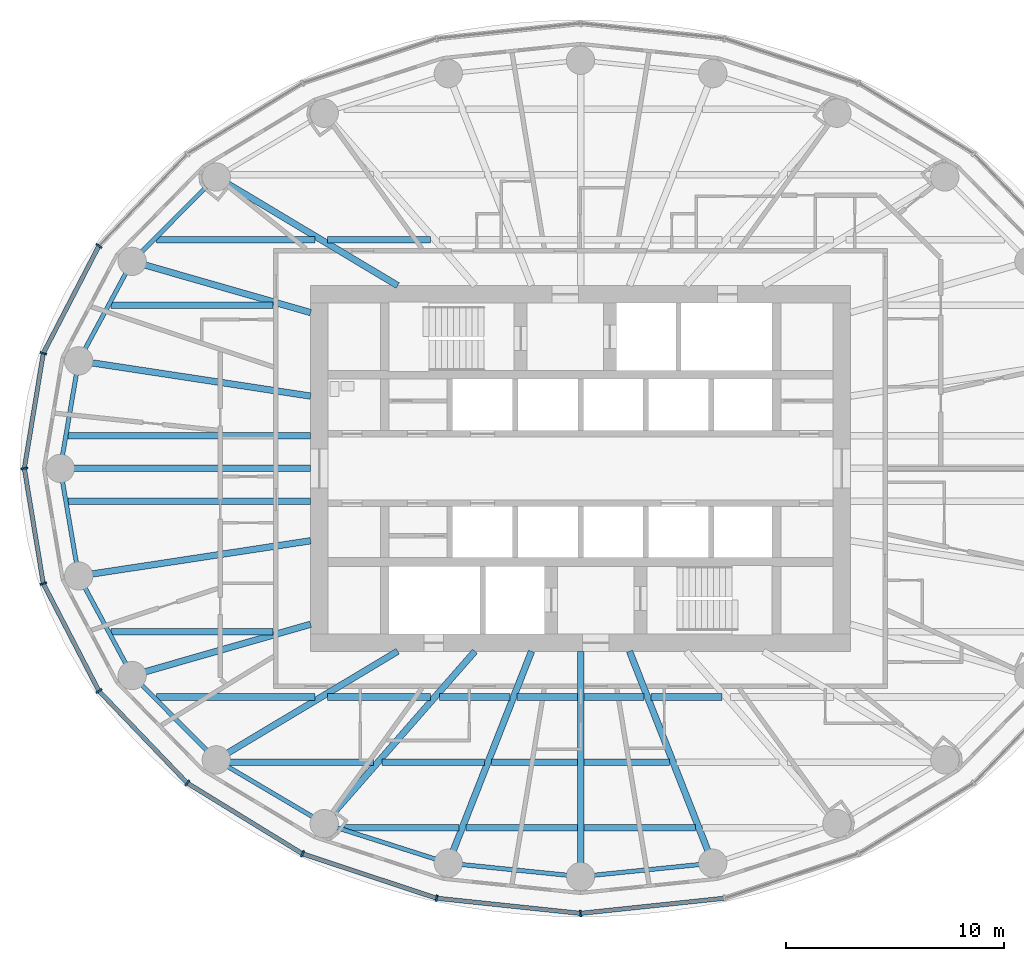
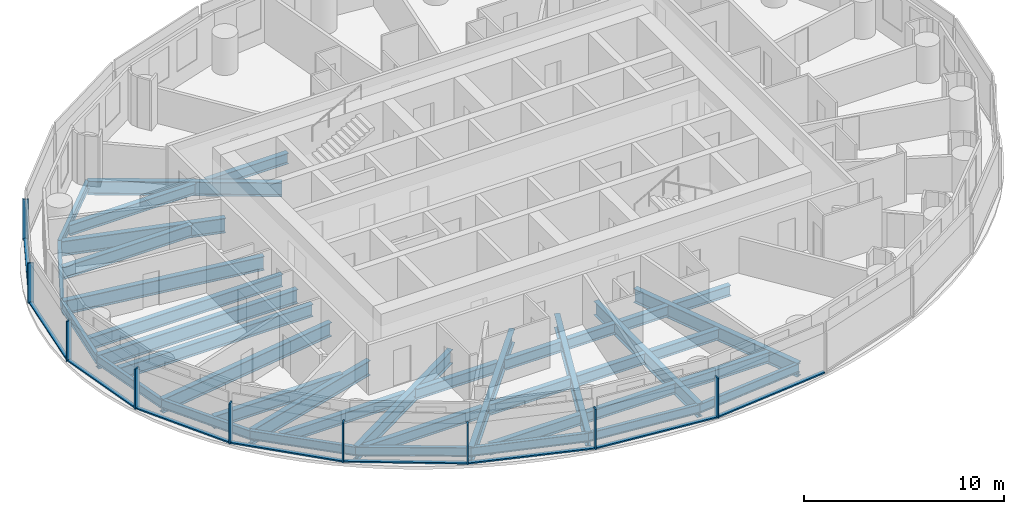
# One storey, part 2 of 14: 40 beams, 18 members, 3 elements without a shape of their own.
"""IFC4 building model written with IfcOpenShell, lengths in metres."""

from ifc_helpers import new_model, si_unit, direction, frame, origin, origin_2d, place, context, subcontext, project, spatial, rectangle, i_section, extrude, material, material_profile, profile_set, type_object, element, aggregate, save


model = new_model("IFC4")

# Units and contexts
model_context = context("Model", 3, precision=1e-05, world=origin(), true_north=direction((0.0, 1.0)))
body_context = subcontext(model_context, "Body", "Model", "MODEL_VIEW")
ifc_project = project(units=[si_unit("LENGTHUNIT", "METRE"), si_unit("AREAUNIT", "SQUARE_METRE"), si_unit("VOLUMEUNIT", "CUBIC_METRE"), si_unit("PLANEANGLEUNIT", "RADIAN"), si_unit("MASSUNIT", "GRAM", prefix="KILO")], contexts=[model_context])

# Site, building, storey
site_placement = place(None, origin())
site = spatial("IfcSite", under=ifc_project, at=site_placement, CompositionType="ELEMENT")
building_placement = place(site_placement, origin())
building = spatial("IfcBuilding", under=site, at=building_placement, Name="Hankou Lantern Tower", CompositionType="ELEMENT")
storey_placement = place(building_placement, frame((0.0, 0.0, 135.300048828125)))
storey = spatial("IfcBuildingStorey", under=building, at=storey_placement, Name="L35", CompositionType="ELEMENT", Elevation=135.300048828125)

# Beams
ifc_material_1 = material(Name="Steel Q355B", Category="steel")
ifc_material_profile_1 = material_profile(ifc_material_1, i_section(OverallWidth=0.199951171875, OverallDepth=0.550048828125, WebThickness=0.010009765625, FlangeThickness=0.01611328125, FilletRadius=0.012939453125, at=origin_2d()), Name="HN550x200x10x16")
ifc_profile_set_1 = profile_set([ifc_material_profile_1], Name="Steel Q355B")
beam_type_1 = type_object("IfcBeamType", Name="EB6 RING BEAM HN550x200x10x16", PredefinedType="SPANDREL", material=ifc_profile_set_1)
beam_1_placement = place(storey_placement, frame((-16.73388671875, 13.38720703125, -0.455078125), z_axis=(-0.705945468625, -0.708266189599, 0.0), x_axis=(0.708266189599, -0.705945468625, 0.0)))
element("IfcBeam", 1, at=beam_1_placement, inside=storey, type_object=beam_type_1, Name="Ring beam R10-R11 L35", PredefinedType="SPANDREL", context=body_context, shape_type="SweptSolid", body=[
    extrude(i_section(OverallWidth=0.199951171875, OverallDepth=0.550048828125, WebThickness=0.010009765625, FlangeThickness=0.01611328125, FilletRadius=0.012939453125, at=origin_2d()), origin(), (0.0, 0.0, 1.0), 5.470458984375),
])
beam_2_placement = place(storey_placement, frame((-20.595703125, 9.5126953125, -0.455078125), z_axis=(-0.473824901673, -0.880619079145, 0.0), x_axis=(0.880619079145, -0.473824901673, 0.0)))
element("IfcBeam", 2, at=beam_2_placement, inside=storey, type_object=beam_type_1, Name="Ring beam R11-R12 L35", PredefinedType="SPANDREL", context=body_context, shape_type="SweptSolid", body=[
    extrude(i_section(OverallWidth=0.199951171875, OverallDepth=0.550048828125, WebThickness=0.010009765625, FlangeThickness=0.01611328125, FilletRadius=0.012939453125, at=origin_2d()), origin(), (0.0, 0.0, 1.0), 5.190185546875),
])
for number, where, z_axis, x_axis, name in (
    (3, (-23.054931640625, 4.942138671875, -0.455078125), (-0.168527258545, -0.985696993567, 0.0), (0.985696993567, -0.168527258545, 0.0), "Ring beam R12-R13 L35"),
    (4, (-23.89990234375, 0.0, -0.455078125), (0.168527258545, -0.985696993567, 0.0), (0.985696993567, 0.168527258545, 0.0), "Ring beam R13-R14 L35"),
):
    element("IfcBeam", number, at=place(storey_placement, frame(where, z_axis=z_axis, x_axis=x_axis)), inside=storey, type_object=beam_type_1, Name=name, PredefinedType="SPANDREL", context=body_context, shape_type="SweptSolid", body=[
        extrude(i_section(OverallWidth=0.199951171875, OverallDepth=0.550048828125, WebThickness=0.010009765625, FlangeThickness=0.01611328125, FilletRadius=0.012939453125, at=origin_2d()), origin(), (0.0, 0.0, 1.0), 5.013916015625),
    ])
beam_3_placement = place(storey_placement, frame((-23.054931640625, -4.942138671875, -0.455078125), z_axis=(0.473824901673, -0.880619079145, 0.0), x_axis=(0.880619079145, 0.473824901673, 0.0)))
element("IfcBeam", 5, at=beam_3_placement, inside=storey, type_object=beam_type_1, Name="Ring beam R14-R15 L35", PredefinedType="SPANDREL", context=body_context, shape_type="SweptSolid", body=[
    extrude(i_section(OverallWidth=0.199951171875, OverallDepth=0.550048828125, WebThickness=0.010009765625, FlangeThickness=0.01611328125, FilletRadius=0.012939453125, at=origin_2d()), origin(), (0.0, 0.0, 1.0), 5.190185546875),
])
beam_4_placement = place(storey_placement, frame((-20.595703125, -9.5126953125, -0.455078125), z_axis=(0.705945468625, -0.708266189599, 0.0), x_axis=(0.708266189599, 0.705945468625, 0.0)))
element("IfcBeam", 6, at=beam_4_placement, inside=storey, type_object=beam_type_1, Name="Ring beam R15-R16 L35", PredefinedType="SPANDREL", context=body_context, shape_type="SweptSolid", body=[
    extrude(i_section(OverallWidth=0.199951171875, OverallDepth=0.550048828125, WebThickness=0.010009765625, FlangeThickness=0.01611328125, FilletRadius=0.012939453125, at=origin_2d()), origin(), (0.0, 0.0, 1.0), 5.470458984375),
])
beam_5_placement = place(storey_placement, frame((-16.73388671875, -13.38720703125, -0.455078125), z_axis=(0.860988974188, -0.508623619513, 0.0), x_axis=(0.508623619513, 0.860988974188, 0.0)))
element("IfcBeam", 7, at=beam_5_placement, inside=storey, type_object=beam_type_1, Name="Ring beam R16-R17 L35", PredefinedType="SPANDREL", context=body_context, shape_type="SweptSolid", body=[
    extrude(i_section(OverallWidth=0.199951171875, OverallDepth=0.550048828125, WebThickness=0.010009765625, FlangeThickness=0.01611328125, FilletRadius=0.012939453125, at=origin_2d()), origin(), (0.0, 0.0, 1.0), 5.759033203125),
])
beam_6_placement = place(storey_placement, frame((-11.775390625, -16.31640625, -0.455078125), z_axis=(0.952731090451, -0.303814860215, 0.0), x_axis=(0.303814860215, 0.952731090451, 0.0)))
element("IfcBeam", 8, at=beam_6_placement, inside=storey, type_object=beam_type_1, Name="Ring beam R17-R18 L35", PredefinedType="SPANDREL", context=body_context, shape_type="SweptSolid", body=[
    extrude(i_section(OverallWidth=0.199951171875, OverallDepth=0.550048828125, WebThickness=0.010009765625, FlangeThickness=0.01611328125, FilletRadius=0.012939453125, at=origin_2d()), origin(), (0.0, 0.0, 1.0), 5.984375),
])
for number, where, z_axis, x_axis, name in (
    (9, (-6.073974609375, -18.134521484375, -0.455078125), (0.994905271594, -0.100814188259, 0.0), (0.100814188259, 0.994905271594, 0.0), "Ring beam R18-R19 L35"),
    (10, (0.0, -18.75, -0.455078125), (0.994905271594, 0.100814188259, 0.0), (-0.100814188259, 0.994905271594, 0.0), "Ring beam R19-R20 L35"),
):
    element("IfcBeam", number, at=place(storey_placement, frame(where, z_axis=z_axis, x_axis=x_axis)), inside=storey, type_object=beam_type_1, Name=name, PredefinedType="SPANDREL", context=body_context, shape_type="SweptSolid", body=[
        extrude(i_section(OverallWidth=0.199951171875, OverallDepth=0.550048828125, WebThickness=0.010009765625, FlangeThickness=0.01611328125, FilletRadius=0.012939453125, at=origin_2d()), origin(), (0.0, 0.0, 1.0), 6.10498046875),
    ])

# Curtain wall, members
ifc_material_2 = material(Name="Glass, dark grey tinted laminated", Category="glass")
curtain_wall_type = type_object("IfcCurtainWallType", Name="CWB OUTER SKIN MID-RISE", PredefinedType="USERDEFINED", material=ifc_material_2)
curtain_wall_1_placement = place(storey_placement, origin())
curtain_wall_1 = element("IfcCurtainWall", 11, at=curtain_wall_1_placement, inside=storey, type_object=curtain_wall_type, Name="CWB L35 OS2", ObjectType="OUTER SKIN MID-RISE", PredefinedType="USERDEFINED")
ifc_material_3 = material(Name="Aluminium, black anodised", Category="aluminium")
ifc_material_profile_2 = material_profile(ifc_material_3, rectangle(XDim=0.080078125, YDim=0.300048828125, at=origin_2d()), Name="MU1 80X300")
ifc_profile_set_2 = profile_set([ifc_material_profile_2], Name="Aluminium, black anodised")
member_type_1 = type_object("IfcMemberType", Name="MU1 OUTER SKIN MULLION 80X300", PredefinedType="MULLION", material=ifc_profile_set_2)
member_1_placement = place(storey_placement, frame((-22.126953125, 10.219970703125, 0.0), z_axis=(0.0, 0.0, 1.0), x_axis=(-0.585205735974, -0.810884854084, 0.0)))
member_1 = element("IfcMember", 12, at=member_1_placement, type_object=member_type_1, Name="CWB mullion 5", PredefinedType="MULLION", context=body_context, shape_type="SweptSolid", body=[
    extrude(rectangle(XDim=0.080078125, YDim=0.300048828125, at=origin_2d()), origin(), (0.0, 0.0, 1.0), 2.449951171875),
])
member_2_placement = place(storey_placement, frame((-24.679443359375, 5.290283203125, 0.0), z_axis=(0.0, 0.0, 1.0), x_axis=(-0.317595577365, -0.94822626479, 0.0)))
member_2 = element("IfcMember", 13, at=member_2_placement, type_object=member_type_1, Name="CWB mullion 6", PredefinedType="MULLION", context=body_context, shape_type="SweptSolid", body=[
    extrude(rectangle(XDim=0.080078125, YDim=0.300048828125, at=origin_2d()), origin(), (0.0, 0.0, 1.0), 2.449951171875),
])

curtain_wall_2_placement = place(storey_placement, origin())
curtain_wall_2 = element("IfcCurtainWall", 14, at=curtain_wall_2_placement, inside=storey, type_object=curtain_wall_type, Name="CWB L35 OS3", ObjectType="OUTER SKIN MID-RISE", PredefinedType="USERDEFINED")
member_3_placement = place(storey_placement, frame((-25.550048828125, 0.0, 0.0), z_axis=(0.0, 0.0, 1.0), x_axis=(0.162381515188, -0.986728049427, 0.0)))
member_3 = element("IfcMember", 15, at=member_3_placement, type_object=member_type_1, Name="CWB mullion 1", PredefinedType="MULLION", context=body_context, shape_type="SweptSolid", body=[
    extrude(rectangle(XDim=0.080078125, YDim=0.300048828125, at=origin_2d()), origin(), (0.0, 0.0, 1.0), 2.449951171875),
])
member_4_placement = place(storey_placement, frame((-24.679443359375, -5.290283203125, 0.0), z_axis=(0.0, 0.0, 1.0), x_axis=(0.317595577365, -0.94822626479, 0.0)))
member_4 = element("IfcMember", 16, at=member_4_placement, type_object=member_type_1, Name="CWB mullion 2", PredefinedType="MULLION", context=body_context, shape_type="SweptSolid", body=[
    extrude(rectangle(XDim=0.080078125, YDim=0.300048828125, at=origin_2d()), origin(), (0.0, 0.0, 1.0), 2.449951171875),
])
member_5_placement = place(storey_placement, frame((-22.126953125, -10.219970703125, 0.0), z_axis=(0.0, 0.0, 1.0), x_axis=(0.585205735974, -0.810884854084, 0.0)))
member_5 = element("IfcMember", 17, at=member_5_placement, type_object=member_type_1, Name="CWB mullion 3", PredefinedType="MULLION", context=body_context, shape_type="SweptSolid", body=[
    extrude(rectangle(XDim=0.080078125, YDim=0.300048828125, at=origin_2d()), origin(), (0.0, 0.0, 1.0), 2.449951171875),
])
member_6_placement = place(storey_placement, frame((-18.066650390625, -14.453369140625, 0.0), z_axis=(0.0, 0.0, 1.0), x_axis=(0.780868809444, -0.624695047553, 0.0)))
member_6 = element("IfcMember", 18, at=member_6_placement, type_object=member_type_1, Name="CWB mullion 4", PredefinedType="MULLION", context=body_context, shape_type="SweptSolid", body=[
    extrude(rectangle(XDim=0.080078125, YDim=0.300048828125, at=origin_2d()), origin(), (0.0, 0.0, 1.0), 2.449951171875),
])
member_7_placement = place(storey_placement, frame((-12.77490234375, -17.70166015625, 0.0), z_axis=(0.0, 0.0, 1.0), x_axis=(0.907841299004, -0.419313934686, 0.0)))
member_7 = element("IfcMember", 19, at=member_7_placement, type_object=member_type_1, Name="CWB mullion 5", PredefinedType="MULLION", context=body_context, shape_type="SweptSolid", body=[
    extrude(rectangle(XDim=0.080078125, YDim=0.300048828125, at=origin_2d()), origin(), (0.0, 0.0, 1.0), 2.449951171875),
])
member_8_placement = place(storey_placement, frame((-6.61279296875, -19.743408203125, 0.0), z_axis=(0.0, 0.0, 1.0), x_axis=(0.977787659625, -0.209597931016, 0.0)))
member_8 = element("IfcMember", 20, at=member_8_placement, type_object=member_type_1, Name="CWB mullion 6", PredefinedType="MULLION", context=body_context, shape_type="SweptSolid", body=[
    extrude(rectangle(XDim=0.080078125, YDim=0.300048828125, at=origin_2d()), origin(), (0.0, 0.0, 1.0), 2.449951171875),
])

# Curtain wall, member
curtain_wall_3_placement = place(storey_placement, origin())
curtain_wall_3 = element("IfcCurtainWall", 21, at=curtain_wall_3_placement, inside=storey, type_object=curtain_wall_type, Name="CWB L35 OS4", ObjectType="OUTER SKIN MID-RISE", PredefinedType="USERDEFINED")
member_9_placement = place(storey_placement, frame((0.0, -20.43994140625, 0.0), z_axis=(0.0, 0.0, 1.0), x_axis=(0.994499359107, 0.104742659579, 0.0)))
member_9 = element("IfcMember", 22, at=member_9_placement, type_object=member_type_1, Name="CWB mullion 1", PredefinedType="MULLION", context=body_context, shape_type="SweptSolid", body=[
    extrude(rectangle(XDim=0.080078125, YDim=0.300048828125, at=origin_2d()), origin(), (0.0, 0.0, 1.0), 2.449951171875),
])

# Beams
ifc_material_4 = material(Name="Steel Q355B", Category="steel")
ifc_material_profile_3 = material_profile(ifc_material_4, i_section(OverallWidth=0.300048828125, OverallDepth=0.85009765625, WebThickness=0.01611328125, FlangeThickness=0.027099609375, FilletRadius=0.01806640625, at=origin_2d()), Name="HN850x300x16x27")
ifc_profile_set_3 = profile_set([ifc_material_profile_3], Name="Steel Q355B")
beam_type_2 = type_object("IfcBeamType", Name="RB12 RADIAL BEAM HN850x300x16x27", PredefinedType="BEAM", material=ifc_profile_set_3)
beam_7_placement = place(storey_placement, frame((-8.39990234375, 8.39990234375, -0.60498046875), z_axis=(-0.858086776551, 0.513504706802, 0.0), x_axis=(-0.513504706802, -0.858086776551, 0.0)))
element("IfcBeam", 23, at=beam_7_placement, inside=storey, type_object=beam_type_2, Name="Radial beam R10 L35", PredefinedType="BEAM", context=body_context, shape_type="SweptSolid", body=[
    extrude(i_section(OverallWidth=0.300048828125, OverallDepth=0.85009765625, WebThickness=0.01611328125, FlangeThickness=0.027099609375, FilletRadius=0.01806640625, at=origin_2d()), origin(), (0.0, 0.0, 1.0), 9.71240234375),
])
beam_8_placement = place(storey_placement, frame((-12.39990234375, 3.322509765625, -0.60498046875), z_axis=(-0.988643506875, 0.150279793429, 0.0), x_axis=(-0.150279793429, -0.988643506875, 0.0)))
element("IfcBeam", 24, at=beam_8_placement, inside=storey, type_object=beam_type_2, Name="Radial beam R12 L35", PredefinedType="BEAM", context=body_context, shape_type="SweptSolid", body=[
    extrude(i_section(OverallWidth=0.300048828125, OverallDepth=0.85009765625, WebThickness=0.01611328125, FlangeThickness=0.027099609375, FilletRadius=0.01806640625, at=origin_2d()), origin(), (0.0, 0.0, 1.0), 10.77734375),
])
beam_9_placement = place(storey_placement, frame((-12.39990234375, 0.0, -0.60498046875), z_axis=(-1.0, 0.0, 0.0), x_axis=(0.0, -1.0, 0.0)))
element("IfcBeam", 25, at=beam_9_placement, inside=storey, type_object=beam_type_2, Name="Radial beam R13 L35", PredefinedType="BEAM", context=body_context, shape_type="SweptSolid", body=[
    extrude(i_section(OverallWidth=0.300048828125, OverallDepth=0.85009765625, WebThickness=0.01611328125, FlangeThickness=0.027099609375, FilletRadius=0.01806640625, at=origin_2d()), origin(), (0.0, 0.0, 1.0), 11.5),
])
beam_10_placement = place(storey_placement, frame((-12.39990234375, -3.322509765625, -0.60498046875), z_axis=(-0.988643506875, -0.150279793429, 0.0), x_axis=(0.150279793429, -0.988643506875, 0.0)))
element("IfcBeam", 26, at=beam_10_placement, inside=storey, type_object=beam_type_2, Name="Radial beam R14 L35", PredefinedType="BEAM", context=body_context, shape_type="SweptSolid", body=[
    extrude(i_section(OverallWidth=0.300048828125, OverallDepth=0.85009765625, WebThickness=0.01611328125, FlangeThickness=0.027099609375, FilletRadius=0.01806640625, at=origin_2d()), origin(), (0.0, 0.0, 1.0), 10.77734375),
])
beam_11_placement = place(storey_placement, frame((-8.39990234375, -8.39990234375, -0.60498046875), z_axis=(-0.858086776551, -0.513504706802, 0.0), x_axis=(0.513504706802, -0.858086776551, 0.0)))
element("IfcBeam", 27, at=beam_11_placement, inside=storey, type_object=beam_type_2, Name="Radial beam R16 L35", PredefinedType="BEAM", context=body_context, shape_type="SweptSolid", body=[
    extrude(i_section(OverallWidth=0.300048828125, OverallDepth=0.85009765625, WebThickness=0.01611328125, FlangeThickness=0.027099609375, FilletRadius=0.01806640625, at=origin_2d()), origin(), (0.0, 0.0, 1.0), 9.71240234375),
])
beam_12_placement = place(storey_placement, frame((-4.849853515625, -8.39990234375, -0.60498046875), z_axis=(-0.658429014446, -0.752642832249, 0.0), x_axis=(0.752642832249, -0.658429014446, 0.0)))
element("IfcBeam", 28, at=beam_12_placement, inside=storey, type_object=beam_type_2, Name="Radial beam R17 L35", PredefinedType="BEAM", context=body_context, shape_type="SweptSolid", body=[
    extrude(i_section(OverallWidth=0.300048828125, OverallDepth=0.85009765625, WebThickness=0.01611328125, FlangeThickness=0.027099609375, FilletRadius=0.01806640625, at=origin_2d()), origin(), (0.0, 0.0, 1.0), 10.518310546875),
])
beam_13_placement = place(storey_placement, frame((-2.250732421875, -8.39990234375, -0.60498046875), z_axis=(-0.365563535437, -0.930786388791, 0.0), x_axis=(0.930786388791, -0.365563535437, 0.0)))
element("IfcBeam", 29, at=beam_13_placement, inside=storey, type_object=beam_type_2, Name="Radial beam R18 L35", PredefinedType="BEAM", context=body_context, shape_type="SweptSolid", body=[
    extrude(i_section(OverallWidth=0.300048828125, OverallDepth=0.85009765625, WebThickness=0.01611328125, FlangeThickness=0.027099609375, FilletRadius=0.01806640625, at=origin_2d()), origin(), (0.0, 0.0, 1.0), 10.45849609375),
])
beam_14_placement = place(storey_placement, frame((0.0, -8.39990234375, -0.60498046875), z_axis=(0.0, -1.0, 0.0), x_axis=(1.0, 0.0, 0.0)))
element("IfcBeam", 30, at=beam_14_placement, inside=storey, type_object=beam_type_2, Name="Radial beam R19 L35", PredefinedType="BEAM", context=body_context, shape_type="SweptSolid", body=[
    extrude(i_section(OverallWidth=0.300048828125, OverallDepth=0.85009765625, WebThickness=0.01611328125, FlangeThickness=0.027099609375, FilletRadius=0.01806640625, at=origin_2d()), origin(), (0.0, 0.0, 1.0), 10.35009765625),
])
beam_15_placement = place(storey_placement, frame((2.250732421875, -8.39990234375, -0.60498046875), z_axis=(0.365563535437, -0.930786388791, 0.0), x_axis=(0.930786388791, 0.365563535437, 0.0)))
element("IfcBeam", 31, at=beam_15_placement, inside=storey, type_object=beam_type_2, Name="Radial beam R20 L35", PredefinedType="BEAM", context=body_context, shape_type="SweptSolid", body=[
    extrude(i_section(OverallWidth=0.300048828125, OverallDepth=0.85009765625, WebThickness=0.01611328125, FlangeThickness=0.027099609375, FilletRadius=0.01806640625, at=origin_2d()), origin(), (0.0, 0.0, 1.0), 10.45849609375),
])
ifc_material_5 = material(Name="Steel Q355B", Category="steel")
ifc_material_profile_4 = material_profile(ifc_material_5, i_section(OverallWidth=0.300048828125, OverallDepth=0.89990234375, WebThickness=0.01611328125, FlangeThickness=0.028076171875, FilletRadius=0.01806640625, at=origin_2d()), Name="HN900x300x16x28")
ifc_profile_set_4 = profile_set([ifc_material_profile_4], Name="Steel Q355B")
beam_type_3 = type_object("IfcBeamType", Name="RB13 RADIAL BEAM HN900x300x16x28", PredefinedType="BEAM", material=ifc_profile_set_4)
for number, where, z_axis, x_axis, name in (
    (32, (-12.39990234375, 7.1591796875, -0.630126953125), (-0.961155741911, 0.276006593745, 0.0), (-0.276006593745, -0.961155741911, 0.0), "Radial beam R11 L35"),
    (33, (-12.39990234375, -7.1591796875, -0.630126953125), (-0.961155741911, -0.276006593745, 0.0), (0.276006593745, -0.961155741911, 0.0), "Radial beam R15 L35"),
):
    element("IfcBeam", number, at=place(storey_placement, frame(where, z_axis=z_axis, x_axis=x_axis)), inside=storey, type_object=beam_type_3, Name=name, PredefinedType="BEAM", context=body_context, shape_type="SweptSolid", body=[
        extrude(i_section(OverallWidth=0.300048828125, OverallDepth=0.89990234375, WebThickness=0.01611328125, FlangeThickness=0.028076171875, FilletRadius=0.01806640625, at=origin_2d()), origin(), (0.0, 0.0, 1.0), 8.527099609375),
    ])
ifc_material_6 = material(Name="Steel Q355B", Category="steel")
ifc_material_profile_5 = material_profile(ifc_material_6, i_section(OverallWidth=0.300048828125, OverallDepth=0.75, WebThickness=0.012939453125, FlangeThickness=0.02392578125, FilletRadius=0.01806640625, at=origin_2d()), Name="HN750x300x13x24")
ifc_profile_set_5 = profile_set([ifc_material_profile_5], Name="Steel Q355B")
beam_type_4 = type_object("IfcBeamType", Name="SB10 SECONDARY BEAM HN750x300x13x24", PredefinedType="JOIST", material=ifc_profile_set_5)
beam_16_placement = place(storey_placement, frame((-21.56494140625, -7.5, -0.554931640625), z_axis=(1.0, 0.0, 0.0), x_axis=(0.0, 1.0, 0.0)))
element("IfcBeam", 34, at=beam_16_placement, inside=storey, type_object=beam_type_4, Name="Floor joist J019 L35", PredefinedType="JOIST", context=body_context, shape_type="SweptSolid", body=[
    extrude(i_section(OverallWidth=0.300048828125, OverallDepth=0.75, WebThickness=0.012939453125, FlangeThickness=0.02392578125, FilletRadius=0.01806640625, at=origin_2d()), origin(), (0.0, 0.0, 1.0), 7.4345703125),
])
for number, where, z_axis, x_axis, name in (
    (35, (-23.5419921875, -1.5, -0.554931640625), (1.0, 0.0, 0.0), (0.0, 1.0, 0.0), "Floor joist J025 L35"),
    (36, (-23.5419921875, 1.5, -0.554931640625), (1.0, 0.0, 0.0), (0.0, 1.0, 0.0), "Floor joist J027 L35"),
):
    element("IfcBeam", number, at=place(storey_placement, frame(where, z_axis=z_axis, x_axis=x_axis)), inside=storey, type_object=beam_type_4, Name=name, PredefinedType="JOIST", context=body_context, shape_type="SweptSolid", body=[
        extrude(i_section(OverallWidth=0.300048828125, OverallDepth=0.75, WebThickness=0.012939453125, FlangeThickness=0.02392578125, FilletRadius=0.01806640625, at=origin_2d()), origin(), (0.0, 0.0, 1.0), 11.14208984375),
    ])
beam_17_placement = place(storey_placement, frame((-21.56494140625, 7.5, -0.554931640625), z_axis=(1.0, 0.0, 0.0), x_axis=(0.0, 1.0, 0.0)))
element("IfcBeam", 37, at=beam_17_placement, inside=storey, type_object=beam_type_4, Name="Floor joist J033 L35", PredefinedType="JOIST", context=body_context, shape_type="SweptSolid", body=[
    extrude(i_section(OverallWidth=0.300048828125, OverallDepth=0.75, WebThickness=0.012939453125, FlangeThickness=0.02392578125, FilletRadius=0.01806640625, at=origin_2d()), origin(), (0.0, 0.0, 1.0), 7.4345703125),
])
ifc_material_7 = material(Name="Steel Q355B", Category="steel")
ifc_material_profile_6 = material_profile(ifc_material_7, i_section(OverallWidth=0.300048828125, OverallDepth=0.64990234375, WebThickness=0.010986328125, FlangeThickness=0.01708984375, FilletRadius=0.01806640625, at=origin_2d()), Name="HN650x300x11x17")
ifc_profile_set_6 = profile_set([ifc_material_profile_6], Name="Steel Q355B")
beam_type_5 = type_object("IfcBeamType", Name="SB8 SECONDARY BEAM HN650x300x11x17", PredefinedType="JOIST", material=ifc_profile_set_6)
beam_18_placement = place(storey_placement, frame((-10.8701171875, -16.5, -0.505126953125), z_axis=(1.0, 0.0, 0.0), x_axis=(0.0, 1.0, 0.0)))
element("IfcBeam", 38, at=beam_18_placement, inside=storey, type_object=beam_type_5, Name="Floor joist J001 L35", PredefinedType="JOIST", context=body_context, shape_type="SweptSolid", body=[
    extrude(i_section(OverallWidth=0.300048828125, OverallDepth=0.64990234375, WebThickness=0.010986328125, FlangeThickness=0.01708984375, FilletRadius=0.01806640625, at=origin_2d()), origin(), (0.0, 0.0, 1.0), 5.27685546875),
])
for number, where, z_axis, x_axis, name in (
    (39, (-5.270751953125, -16.5, -0.505126953125), (1.0, 0.0, 0.0), (0.0, 1.0, 0.0), "Floor joist J002 L35"),
    (40, (0.14990234375, -16.5, -0.505126953125), (1.0, 0.0, 0.0), (0.0, 1.0, 0.0), "Floor joist J003 L35"),
):
    element("IfcBeam", number, at=place(storey_placement, frame(where, z_axis=z_axis, x_axis=x_axis)), inside=storey, type_object=beam_type_5, Name=name, PredefinedType="JOIST", context=body_context, shape_type="SweptSolid", body=[
        extrude(i_section(OverallWidth=0.300048828125, OverallDepth=0.64990234375, WebThickness=0.010986328125, FlangeThickness=0.01708984375, FilletRadius=0.01806640625, at=origin_2d()), origin(), (0.0, 0.0, 1.0), 5.120849609375),
    ])
beam_19_placement = place(storey_placement, frame((-16.34619140625, -13.5, -0.505126953125), z_axis=(1.0, 0.0, 0.0), x_axis=(0.0, 1.0, 0.0)))
element("IfcBeam", 41, at=beam_19_placement, inside=storey, type_object=beam_type_5, Name="Floor joist J005 L35", PredefinedType="JOIST", context=body_context, shape_type="SweptSolid", body=[
    extrude(i_section(OverallWidth=0.300048828125, OverallDepth=0.64990234375, WebThickness=0.010986328125, FlangeThickness=0.01708984375, FilletRadius=0.01806640625, at=origin_2d()), origin(), (0.0, 0.0, 1.0), 6.83544921875),
])
beam_20_placement = place(storey_placement, frame((-9.112060546875, -13.5, -0.505126953125), z_axis=(1.0, 0.0, 0.0), x_axis=(0.0, 1.0, 0.0)))
element("IfcBeam", 42, at=beam_20_placement, inside=storey, type_object=beam_type_5, Name="Floor joist J006 L35", PredefinedType="JOIST", context=body_context, shape_type="SweptSolid", body=[
    extrude(i_section(OverallWidth=0.300048828125, OverallDepth=0.64990234375, WebThickness=0.010986328125, FlangeThickness=0.01708984375, FilletRadius=0.01806640625, at=origin_2d()), origin(), (0.0, 0.0, 1.0), 4.697021484375),
])
for number, where, z_axis, x_axis, name in (
    (43, (-4.092529296875, -13.5, -0.505126953125), (1.0, 0.0, 0.0), (0.0, 1.0, 0.0), "Floor joist J007 L35"),
    (44, (0.14990234375, -13.5, -0.505126953125), (1.0, 0.0, 0.0), (0.0, 1.0, 0.0), "Floor joist J008 L35"),
):
    element("IfcBeam", number, at=place(storey_placement, frame(where, z_axis=z_axis, x_axis=x_axis)), inside=storey, type_object=beam_type_5, Name=name, PredefinedType="JOIST", context=body_context, shape_type="SweptSolid", body=[
        extrude(i_section(OverallWidth=0.300048828125, OverallDepth=0.64990234375, WebThickness=0.010986328125, FlangeThickness=0.01708984375, FilletRadius=0.01806640625, at=origin_2d()), origin(), (0.0, 0.0, 1.0), 3.942626953125),
    ])
beam_21_placement = place(storey_placement, frame((-19.470458984375, -10.5, -0.505126953125), z_axis=(1.0, 0.0, 0.0), x_axis=(0.0, 1.0, 0.0)))
element("IfcBeam", 45, at=beam_21_placement, inside=storey, type_object=beam_type_5, Name="Floor joist J011 L35", PredefinedType="JOIST", context=body_context, shape_type="SweptSolid", body=[
    extrude(i_section(OverallWidth=0.300048828125, OverallDepth=0.64990234375, WebThickness=0.010986328125, FlangeThickness=0.01708984375, FilletRadius=0.01806640625, at=origin_2d()), origin(), (0.0, 0.0, 1.0), 7.26904296875),
])
beam_22_placement = place(storey_placement, frame((-11.6171875, -10.5, -0.505126953125), z_axis=(1.0, 0.0, 0.0), x_axis=(0.0, 1.0, 0.0)))
element("IfcBeam", 46, at=beam_22_placement, inside=storey, type_object=beam_type_5, Name="Floor joist J012 L35", PredefinedType="JOIST", context=body_context, shape_type="SweptSolid", body=[
    extrude(i_section(OverallWidth=0.300048828125, OverallDepth=0.64990234375, WebThickness=0.010986328125, FlangeThickness=0.01708984375, FilletRadius=0.01806640625, at=origin_2d()), origin(), (0.0, 0.0, 1.0), 4.73095703125),
])
beam_23_placement = place(storey_placement, frame((-6.487548828125, -10.5, -0.505126953125), z_axis=(1.0, 0.0, 0.0), x_axis=(0.0, 1.0, 0.0)))
element("IfcBeam", 47, at=beam_23_placement, inside=storey, type_object=beam_type_5, Name="Floor joist J013 L35", PredefinedType="JOIST", context=body_context, shape_type="SweptSolid", body=[
    extrude(i_section(OverallWidth=0.300048828125, OverallDepth=0.64990234375, WebThickness=0.010986328125, FlangeThickness=0.01708984375, FilletRadius=0.01806640625, at=origin_2d()), origin(), (0.0, 0.0, 1.0), 3.2509765625),
])
for number, where, z_axis, x_axis, name in (
    (48, (-2.914306640625, -10.5, -0.505126953125), (1.0, 0.0, 0.0), (0.0, 1.0, 0.0), "Floor joist J014 L35"),
    (49, (0.14990234375, -10.5, -0.505126953125), (1.0, 0.0, 0.0), (0.0, 1.0, 0.0), "Floor joist J015 L35"),
):
    element("IfcBeam", number, at=place(storey_placement, frame(where, z_axis=z_axis, x_axis=x_axis)), inside=storey, type_object=beam_type_5, Name=name, PredefinedType="JOIST", context=body_context, shape_type="SweptSolid", body=[
        extrude(i_section(OverallWidth=0.300048828125, OverallDepth=0.64990234375, WebThickness=0.010986328125, FlangeThickness=0.01708984375, FilletRadius=0.01806640625, at=origin_2d()), origin(), (0.0, 0.0, 1.0), 2.764404296875),
    ])
beam_24_placement = place(storey_placement, frame((3.236572265625, -10.5, -0.505126953125), z_axis=(1.0, 0.0, 0.0), x_axis=(0.0, 1.0, 0.0)))
element("IfcBeam", 50, at=beam_24_placement, inside=storey, type_object=beam_type_5, Name="Floor joist J016 L35", PredefinedType="JOIST", context=body_context, shape_type="SweptSolid", body=[
    extrude(i_section(OverallWidth=0.300048828125, OverallDepth=0.64990234375, WebThickness=0.010986328125, FlangeThickness=0.01708984375, FilletRadius=0.01806640625, at=origin_2d()), origin(), (0.0, 0.0, 1.0), 3.2509765625),
])
beam_25_placement = place(storey_placement, frame((-19.470458984375, 10.5, -0.505126953125), z_axis=(1.0, 0.0, 0.0), x_axis=(0.0, 1.0, 0.0)))
element("IfcBeam", 51, at=beam_25_placement, inside=storey, type_object=beam_type_5, Name="Floor joist J035 L35", PredefinedType="JOIST", context=body_context, shape_type="SweptSolid", body=[
    extrude(i_section(OverallWidth=0.300048828125, OverallDepth=0.64990234375, WebThickness=0.010986328125, FlangeThickness=0.01708984375, FilletRadius=0.01806640625, at=origin_2d()), origin(), (0.0, 0.0, 1.0), 7.26904296875),
])
beam_26_placement = place(storey_placement, frame((-11.6171875, 10.5, -0.505126953125), z_axis=(1.0, 0.0, 0.0), x_axis=(0.0, 1.0, 0.0)))
element("IfcBeam", 52, at=beam_26_placement, inside=storey, type_object=beam_type_5, Name="Floor joist J036 L35", PredefinedType="JOIST", context=body_context, shape_type="SweptSolid", body=[
    extrude(i_section(OverallWidth=0.300048828125, OverallDepth=0.64990234375, WebThickness=0.010986328125, FlangeThickness=0.01708984375, FilletRadius=0.01806640625, at=origin_2d()), origin(), (0.0, 0.0, 1.0), 4.73095703125),
])

# Member
ifc_material_8 = material(Name="Aluminium, black anodised", Category="aluminium")
ifc_material_profile_7 = material_profile(ifc_material_8, rectangle(XDim=0.199951171875, YDim=0.080078125, at=origin_2d()), Name="TR1 200X80")
ifc_profile_set_7 = profile_set([ifc_material_profile_7], Name="Aluminium, black anodised")
member_type_2 = type_object("IfcMemberType", Name="TR1 OUTER SKIN TRANSOM 200X80", PredefinedType="USERDEFINED", material=ifc_profile_set_7)
member_10_placement = place(storey_placement, frame((-22.145263671875, 10.1845703125, 0.0400390625), z_axis=(-0.459805240543, -0.888019786249, 0.0), x_axis=(0.888019786249, -0.459805240543, 0.0)))
member_10 = element("IfcMember", 53, at=member_10_placement, type_object=member_type_2, Name="CWB transom 5", ObjectType="TRANSOM", PredefinedType="USERDEFINED", context=body_context, shape_type="SweptSolid", body=[
    extrude(rectangle(XDim=0.199951171875, YDim=0.080078125, at=origin_2d()), origin(), (0.0, 0.0, 1.0), 5.4716796875),
])

member_11_placement = place(storey_placement, frame((-24.685791015625, 5.250732421875, 0.0400390625), z_axis=(-0.162397124076, -0.986725480614, 0.0), x_axis=(0.986725480614, -0.162397124076, 0.0)))
member_11 = element("IfcMember", 54, at=member_11_placement, type_object=member_type_2, Name="CWB transom 6", ObjectType="TRANSOM", PredefinedType="USERDEFINED", context=body_context, shape_type="SweptSolid", body=[
    extrude(rectangle(XDim=0.199951171875, YDim=0.080078125, at=origin_2d()), origin(), (0.0, 0.0, 1.0), 5.28125),
])

aggregate(curtain_wall_1, [member_1, member_2, member_10, member_11])

member_12_placement = place(storey_placement, frame((-25.54345703125, -0.03955078125, 0.0400390625), z_axis=(0.162397124076, -0.986725480614, 0.0), x_axis=(0.986725480614, 0.162397124076, 0.0)))
member_12 = element("IfcMember", 55, at=member_12_placement, type_object=member_type_2, Name="CWB transom 1", ObjectType="TRANSOM", PredefinedType="USERDEFINED", context=body_context, shape_type="SweptSolid", body=[
    extrude(rectangle(XDim=0.199951171875, YDim=0.080078125, at=origin_2d()), origin(), (0.0, 0.0, 1.0), 5.28125),
])

member_13_placement = place(storey_placement, frame((-24.6611328125, -5.32568359375, 0.0400390625), z_axis=(0.459805240543, -0.888019786249, 0.0), x_axis=(0.888019786249, 0.459805240543, 0.0)))
member_13 = element("IfcMember", 56, at=member_13_placement, type_object=member_type_2, Name="CWB transom 2", ObjectType="TRANSOM", PredefinedType="USERDEFINED", context=body_context, shape_type="SweptSolid", body=[
    extrude(rectangle(XDim=0.199951171875, YDim=0.080078125, at=origin_2d()), origin(), (0.0, 0.0, 1.0), 5.4716796875),
])

member_14_placement = place(storey_placement, frame((-22.099365234375, -10.248779296875, 0.0400390625), z_axis=(0.692226977748, -0.721679853729, 0.0), x_axis=(0.721679853729, 0.692226977748, 0.0)))
member_14 = element("IfcMember", 57, at=member_14_placement, type_object=member_type_2, Name="CWB transom 3", ObjectType="TRANSOM", PredefinedType="USERDEFINED", context=body_context, shape_type="SweptSolid", body=[
    extrude(rectangle(XDim=0.199951171875, YDim=0.080078125, at=origin_2d()), origin(), (0.0, 0.0, 1.0), 5.785888671875),
])

member_15_placement = place(storey_placement, frame((-18.032470703125, -14.47412109375, 0.0400390625), z_axis=(0.852229492169, -0.523168130411, 0.0), x_axis=(0.523168130411, 0.852229492169, 0.0)))
member_15 = element("IfcMember", 58, at=member_15_placement, type_object=member_type_2, Name="CWB transom 4", ObjectType="TRANSOM", PredefinedType="USERDEFINED", context=body_context, shape_type="SweptSolid", body=[
    extrude(rectangle(XDim=0.199951171875, YDim=0.080078125, at=origin_2d()), origin(), (0.0, 0.0, 1.0), 6.129150390625),
])

member_16_placement = place(storey_placement, frame((-12.737060546875, -17.714111328125, 0.0400390625), z_axis=(0.949237765745, -0.314559476225, 0.0), x_axis=(0.314559476225, 0.949237765745, 0.0)))
member_16 = element("IfcMember", 59, at=member_16_placement, type_object=member_type_2, Name="CWB transom 5", ObjectType="TRANSOM", PredefinedType="USERDEFINED", context=body_context, shape_type="SweptSolid", body=[
    extrude(rectangle(XDim=0.199951171875, YDim=0.080078125, at=origin_2d()), origin(), (0.0, 0.0, 1.0), 6.41162109375),
])

member_17_placement = place(storey_placement, frame((-6.572998046875, -19.747802734375, 0.0400390625), z_axis=(0.994500972001, -0.10472734451, 0.0), x_axis=(0.10472734451, 0.994500972001, 0.0)))
member_17 = element("IfcMember", 60, at=member_17_placement, type_object=member_type_2, Name="CWB transom 6", ObjectType="TRANSOM", PredefinedType="USERDEFINED", context=body_context, shape_type="SweptSolid", body=[
    extrude(rectangle(XDim=0.199951171875, YDim=0.080078125, at=origin_2d()), origin(), (0.0, 0.0, 1.0), 6.5693359375),
])

aggregate(curtain_wall_2, [member_3, member_4, member_5, member_6, member_7, member_8, member_12, member_13, member_14, member_15, member_16, member_17])

member_18_placement = place(storey_placement, frame((0.039794921875, -20.435791015625, 0.0400390625), z_axis=(0.994500972001, 0.10472734451, 0.0), x_axis=(-0.10472734451, 0.994500972001, 0.0)))
member_18 = element("IfcMember", 61, at=member_18_placement, type_object=member_type_2, Name="CWB transom 1", ObjectType="TRANSOM", PredefinedType="USERDEFINED", context=body_context, shape_type="SweptSolid", body=[
    extrude(rectangle(XDim=0.199951171875, YDim=0.080078125, at=origin_2d()), origin(), (0.0, 0.0, 1.0), 6.5693359375),
])

aggregate(curtain_wall_3, [member_9, member_18])

save(model, "model.ifc")
